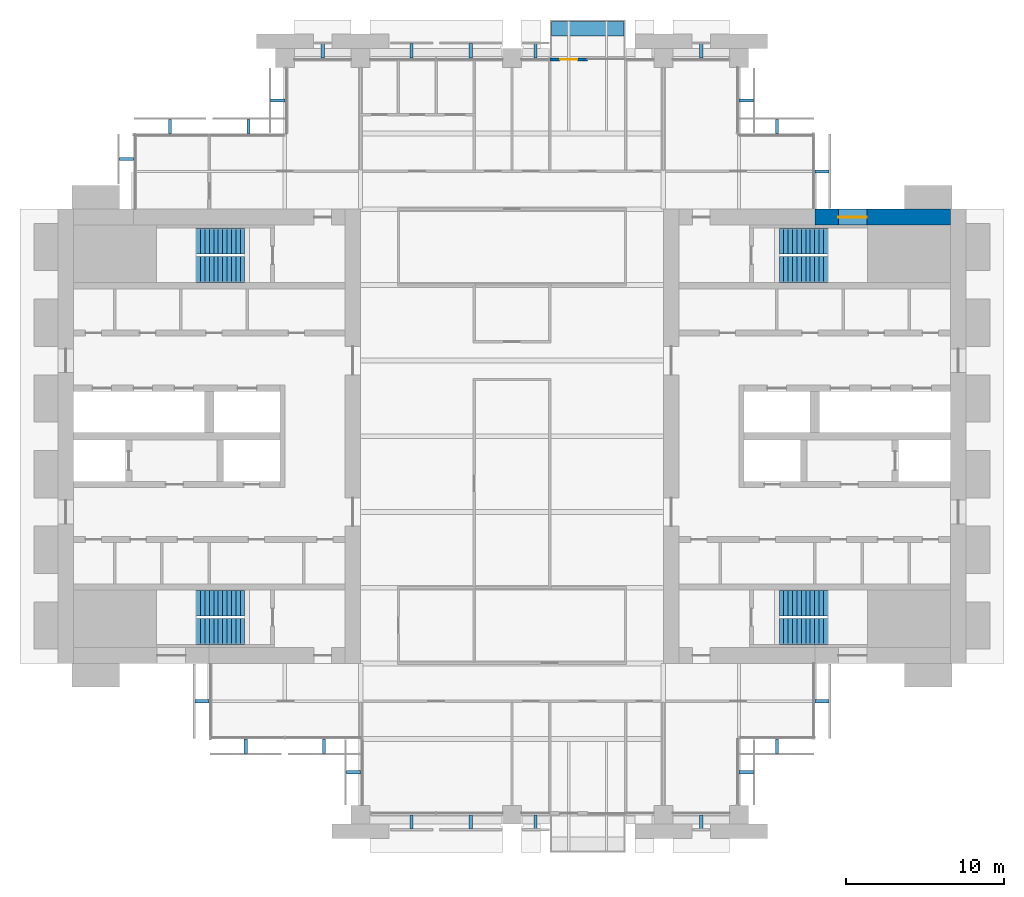
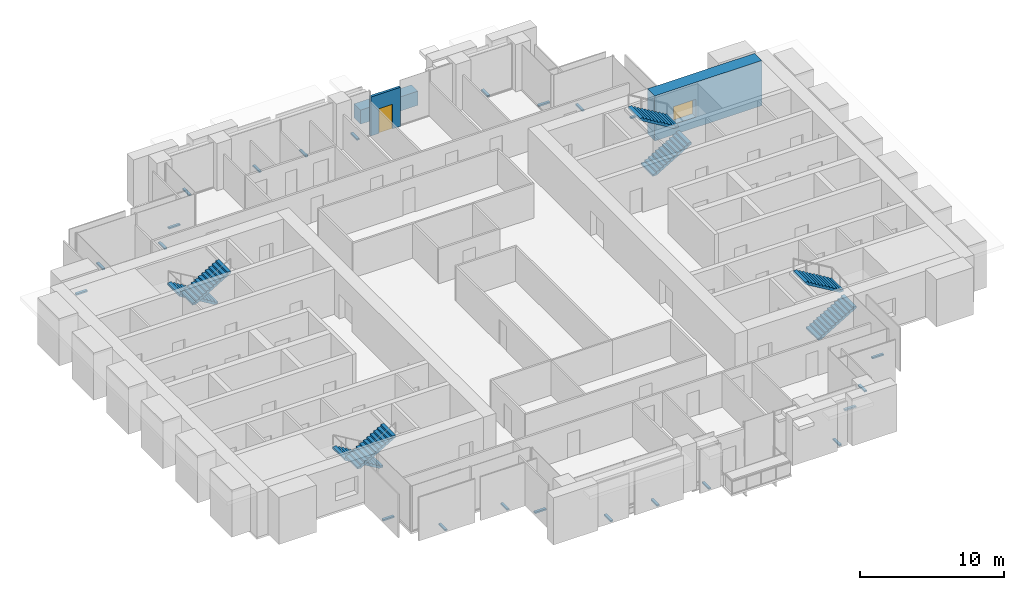
# One storey, part 13 of 15: 23 discrete accessories, 8 stair flights, 3 walls, 1 door, 1 window, 2 openings, 4 elements without a shape of their own.
"""IFC4 building model written with IfcOpenShell, lengths in metres."""

from ifc_helpers import new_model, si_unit, direction, frame, frame_2d, origin, origin_2d, place, context, subcontext, project, spatial, polyline, rectangle, outline, extrude, material, layer, layer_set, type_object, element, fill, aggregate, save


model = new_model("IFC4")

# Units and contexts
model_context = context("Model", 3, precision=1e-05, world=origin(), true_north=direction((0.0, 1.0)))
body_context = subcontext(model_context, "Body", "Model", "MODEL_VIEW")
ifc_project = project(units=[si_unit("LENGTHUNIT", "METRE"), si_unit("AREAUNIT", "SQUARE_METRE"), si_unit("VOLUMEUNIT", "CUBIC_METRE"), si_unit("PLANEANGLEUNIT", "RADIAN"), si_unit("MASSUNIT", "GRAM", prefix="KILO")], contexts=[model_context])

# Site, building, storey
site_placement = place(None, origin())
site = spatial("IfcSite", under=ifc_project, at=site_placement, CompositionType="ELEMENT")
building_placement = place(site_placement, origin())
building = spatial("IfcBuilding", under=site, at=building_placement, Name="Baori Bourse Tower", CompositionType="ELEMENT")
storey_placement = place(building_placement, frame((0.0, 0.0, 164.10009765625)))
storey = spatial("IfcBuildingStorey", under=building, at=storey_placement, Name="L36", CompositionType="ELEMENT", Elevation=164.10009765625)

# Wall, opening, window
ifc_material_1 = material(Name="Concrete f'c 60 MPa", Category="concrete")
ifc_layer_1 = layer(ifc_material_1, 1.0)
ifc_layer_set_1 = layer_set([ifc_layer_1], Name="Core wall 1000 f'c 60")
wall_type_1 = type_object("IfcWallType", Name="Core wall 1000 f'c 60", PredefinedType="SHEAR", material=ifc_layer_set_1)
wall_1_placement = place(storey_placement, frame((48.0, 37.89990234375, 0.0), z_axis=(0.0, 0.0, 1.0), x_axis=(1.0, 0.0, 0.0)))
wall_1 = element("IfcWall", 1, at=wall_1_placement, inside=storey, type_object=wall_type_1, Name="Core wall E31", PredefinedType="SHEAR", context=body_context, shape_type="SweptSolid", body=[
    extrude(rectangle(XDim=8.60009765625, YDim=1.0, at=frame_2d((4.300048828125, 0.0))), origin(), (0.0, 0.0, 1.0), 3.83984375),
])
opening_1_placement = place(wall_1_placement, frame((1.5, 0.0, 0.89990234375)))
opening_1 = element("IfcOpeningElement", 2, at=opening_1_placement, cuts=wall_1, Name="Opening L36-KW204", PredefinedType="OPENING", context=body_context, shape_type="SweptSolid", body=[
    extrude(rectangle(XDim=1.800048828125, YDim=1.5, at=frame_2d((0.89990234375, 0.75))), frame((0.0, 0.510009765625, 0.0), z_axis=(0.0, -1.0, 0.0), x_axis=(1.0, 0.0, 0.0)), (0.0, 0.0, 1.0), 1.02001953125),
])
ifc_material_2 = material(Name="Pale anodised aluminium", Category="aluminium")
window_type = type_object("IfcWindowType", Name="Stair window 1800 x 1500", PartitioningType="SINGLE_PANEL", PredefinedType="WINDOW", material=ifc_material_2)
window_placement = place(opening_1_placement, origin())
window = element("IfcWindow", 3, at=window_placement, inside=storey, type_object=window_type, Name="Stair window E L36 4", OverallHeight=1.5, OverallWidth=1.800048828125, PartitioningType="SINGLE_PANEL", PredefinedType="WINDOW", context=body_context, shape_type="SweptSolid", body=[
    extrude(rectangle(XDim=1.800048828125, YDim=1.5, at=frame_2d((0.89990234375, 0.75))), frame((0.0, 0.030029296875, 0.0), z_axis=(0.0, -1.0, 0.0), x_axis=(1.0, 0.0, 0.0)), (0.0, 0.0, 1.0), 0.06005859375),
])
fill(opening_1, window)

# Wall, opening, door
ifc_material_3 = material(Name="Pale anodised aluminium", Category="aluminium")
ifc_layer_2 = layer(ifc_material_3, 0.199951171875)
ifc_layer_set_2 = layer_set([ifc_layer_2], Name="EW1 External wall bay")
wall_type_2 = type_object("IfcWallType", Name="EW1 External wall bay", PredefinedType="SOLIDWALL", material=ifc_layer_set_2)
wall_2_placement = place(storey_placement, frame((33.60009765625, 47.89990234375, 0.0), z_axis=(0.0, 0.0, 1.0), x_axis=(-1.0, 0.0, 0.0)))
wall_2 = element("IfcWall", 4, at=wall_2_placement, inside=storey, type_object=wall_type_2, Name="External wall bay L36 1", PredefinedType="SOLIDWALL", context=body_context, shape_type="SweptSolid", body=[
    extrude(rectangle(XDim=2.400146484375, YDim=0.199951171875, at=frame_2d((1.2001953125, 0.0))), origin(), (0.0, 0.0, 1.0), 3.314208984375),
])
opening_2_placement = place(wall_2_placement, frame((0.64990234375, 0.0, 0.0)))
opening_2 = element("IfcOpeningElement", 5, at=opening_2_placement, cuts=wall_2, Name="Opening L36-D91", PredefinedType="OPENING", context=body_context, shape_type="SweptSolid", body=[
    extrude(rectangle(XDim=1.10009765625, YDim=2.10009765625, at=frame_2d((0.550048828125, 1.050048828125))), frame((0.0, 0.10986328125, 0.0), z_axis=(0.0, -1.0, 0.0), x_axis=(1.0, 0.0, 0.0)), (0.0, 0.0, 1.0), 0.219970703125),
])
ifc_material_4 = material(Name="Pale anodised aluminium", Category="aluminium")
door_type = type_object("IfcDoorType", Name="BL1 Balcony door", OperationType="SINGLE_SWING_LEFT", PredefinedType="DOOR", material=ifc_material_4)
door_placement = place(opening_2_placement, origin())
door = element("IfcDoor", 6, at=door_placement, inside=storey, type_object=door_type, Name="Balcony door L36 1", OperationType="SINGLE_SWING_LEFT", OverallHeight=2.10009765625, OverallWidth=1.10009765625, PredefinedType="DOOR", context=body_context, shape_type="SweptSolid", body=[
    extrude(rectangle(XDim=1.10009765625, YDim=2.10009765625, at=frame_2d((0.550048828125, 1.050048828125))), frame((0.0, 0.02490234375, 0.0), z_axis=(0.0, -1.0, 0.0), x_axis=(1.0, 0.0, 0.0)), (0.0, 0.0, 1.0), 0.050048828125),
])
fill(opening_2, door)

# Wall
ifc_material_5 = material(Name="Concrete f'c 40 MPa", Category="concrete")
ifc_layer_3 = layer(ifc_material_5, 0.89990234375)
ifc_layer_set_3 = layer_set([ifc_layer_3], Name="PW1 Planter wall")
wall_type_3 = type_object("IfcWallType", Name="PW1 Planter wall", PredefinedType="USERDEFINED", material=ifc_layer_set_3)
wall_3_placement = place(storey_placement, frame((31.300048828125, 49.85009765625, 0.0), z_axis=(0.0, 0.0, 1.0), x_axis=(1.0, 0.0, 0.0)))
element("IfcWall", 7, at=wall_3_placement, inside=storey, type_object=wall_type_3, Name="Planter balcony N L36 2", ObjectType="PLANTER", PredefinedType="USERDEFINED", context=body_context, shape_type="SweptSolid", body=[
    extrude(rectangle(XDim=4.599853515625, YDim=0.89990234375, at=frame_2d((2.2998046875, 0.0))), origin(), (0.0, 0.0, 1.0), 1.199951171875),
])

# Stair, stair flights
ifc_material_6 = material(Name="Concrete f'c 50 MPa", Category="concrete")
stair_type = type_object("IfcStairType", Name="Core stair", PredefinedType="HALF_TURN_STAIR", material=ifc_material_6)
stair_1_placement = place(storey_placement, origin())
stair_1 = element("IfcStair", 8, at=stair_1_placement, inside=storey, type_object=stair_type, Name="L36 Stair WA", PredefinedType="HALF_TURN_STAIR")
ifc_material_7 = material(Name="Concrete f'c 50 MPa", Category="concrete")
stair_flight_type = type_object("IfcStairFlightType", Name="Core stair flight", PredefinedType="STRAIGHT", material=ifc_material_7)
stair_flight_1_placement = place(storey_placement, frame((11.85009765625, 13.425048828125, 0.0), z_axis=(0.0, 0.0, 1.0), x_axis=(-1.0, 0.0, 0.0)))
stair_flight_1 = element("IfcStairFlight", 9, at=stair_flight_1_placement, type_object=stair_flight_type, Name="ST1 flight 1", NumberOfRisers=12, NumberOfTreads=11, PredefinedType="STRAIGHT", RiserHeight=0.166666667, TreadLength=0.28, context=body_context, shape_type="SweptSolid", body=[
    extrude(outline(polyline([(0.0, 0.0), (0.0, 0.166748046875), (0.280029296875, 0.166748046875), (0.280029296875, 0.333251953125), (0.56005859375, 0.333251953125), (0.56005859375, 0.5), (0.840087890625, 0.5), (0.840087890625, 0.666748046875), (1.1201171875, 0.666748046875), (1.1201171875, 0.833251953125), (1.39990234375, 0.833251953125), (1.39990234375, 1.0), (1.679931640625, 1.0), (1.679931640625, 1.166748046875), (1.9599609375, 1.166748046875), (1.9599609375, 1.333251953125), (2.239990234375, 1.333251953125), (2.239990234375, 1.5), (2.52001953125, 1.5), (2.52001953125, 1.666748046875), (2.800048828125, 1.666748046875), (2.800048828125, 1.833251953125), (3.080078125, 1.833251953125), (3.080078125, 2.0), (3.080078125, 1.658935546875), (0.29296875, 0.0), (0.0, 0.0)])), frame((0.0, 0.824951171875, 0.0), z_axis=(0.0, -1.0, 0.0), x_axis=(1.0, 0.0, 0.0)), (0.0, 0.0, 1.0), 1.64990234375),
])
stair_flight_2_placement = place(storey_placement, frame((8.77001953125, 11.625, 2.0), z_axis=(0.0, 0.0, 1.0), x_axis=(1.0, 0.0, 0.0)))
stair_flight_2 = element("IfcStairFlight", 10, at=stair_flight_2_placement, type_object=stair_flight_type, Name="ST1 flight 2", NumberOfRisers=12, NumberOfTreads=11, PredefinedType="STRAIGHT", RiserHeight=0.166666667, TreadLength=0.28, context=body_context, shape_type="SweptSolid", body=[
    extrude(outline(polyline([(0.0, 0.0), (0.0, 0.166748046875), (0.280029296875, 0.166748046875), (0.280029296875, 0.333251953125), (0.56005859375, 0.333251953125), (0.56005859375, 0.5), (0.840087890625, 0.5), (0.840087890625, 0.666748046875), (1.1201171875, 0.666748046875), (1.1201171875, 0.833251953125), (1.39990234375, 0.833251953125), (1.39990234375, 1.0), (1.679931640625, 1.0), (1.679931640625, 1.166748046875), (1.9599609375, 1.166748046875), (1.9599609375, 1.333251953125), (2.239990234375, 1.333251953125), (2.239990234375, 1.5), (2.52001953125, 1.5), (2.52001953125, 1.666748046875), (2.800048828125, 1.666748046875), (2.800048828125, 1.833251953125), (3.080078125, 1.833251953125), (3.080078125, 2.0), (3.080078125, 1.658935546875), (0.29296875, 0.0), (0.0, 0.0)])), frame((0.0, 0.824951171875, 0.0), z_axis=(0.0, -1.0, 0.0), x_axis=(1.0, 0.0, 0.0)), (0.0, 0.0, 1.0), 1.64990234375),
])
aggregate(stair_1, [stair_flight_1, stair_flight_2])

stair_2_placement = place(storey_placement, origin())
stair_2 = element("IfcStair", 11, at=stair_2_placement, inside=storey, type_object=stair_type, Name="L36 Stair WB", PredefinedType="HALF_TURN_STAIR")
stair_flight_3_placement = place(storey_placement, frame((11.85009765625, 36.375, 0.0), z_axis=(0.0, 0.0, 1.0), x_axis=(-1.0, 0.0, 0.0)))
stair_flight_3 = element("IfcStairFlight", 12, at=stair_flight_3_placement, type_object=stair_flight_type, Name="ST2 flight 1", NumberOfRisers=12, NumberOfTreads=11, PredefinedType="STRAIGHT", RiserHeight=0.166666667, TreadLength=0.28, context=body_context, shape_type="SweptSolid", body=[
    extrude(outline(polyline([(0.0, 0.0), (0.0, 0.166748046875), (0.280029296875, 0.166748046875), (0.280029296875, 0.333251953125), (0.56005859375, 0.333251953125), (0.56005859375, 0.5), (0.840087890625, 0.5), (0.840087890625, 0.666748046875), (1.1201171875, 0.666748046875), (1.1201171875, 0.833251953125), (1.39990234375, 0.833251953125), (1.39990234375, 1.0), (1.679931640625, 1.0), (1.679931640625, 1.166748046875), (1.9599609375, 1.166748046875), (1.9599609375, 1.333251953125), (2.239990234375, 1.333251953125), (2.239990234375, 1.5), (2.52001953125, 1.5), (2.52001953125, 1.666748046875), (2.800048828125, 1.666748046875), (2.800048828125, 1.833251953125), (3.080078125, 1.833251953125), (3.080078125, 2.0), (3.080078125, 1.658935546875), (0.29296875, 0.0), (0.0, 0.0)])), frame((0.0, 0.824951171875, 0.0), z_axis=(0.0, -1.0, 0.0), x_axis=(1.0, 0.0, 0.0)), (0.0, 0.0, 1.0), 1.64990234375),
])
stair_flight_4_placement = place(storey_placement, frame((8.77001953125, 34.574951171875, 2.0), z_axis=(0.0, 0.0, 1.0), x_axis=(1.0, 0.0, 0.0)))
stair_flight_4 = element("IfcStairFlight", 13, at=stair_flight_4_placement, type_object=stair_flight_type, Name="ST2 flight 2", NumberOfRisers=12, NumberOfTreads=11, PredefinedType="STRAIGHT", RiserHeight=0.166666667, TreadLength=0.28, context=body_context, shape_type="SweptSolid", body=[
    extrude(outline(polyline([(0.0, 0.0), (0.0, 0.166748046875), (0.280029296875, 0.166748046875), (0.280029296875, 0.333251953125), (0.56005859375, 0.333251953125), (0.56005859375, 0.5), (0.840087890625, 0.5), (0.840087890625, 0.666748046875), (1.1201171875, 0.666748046875), (1.1201171875, 0.833251953125), (1.39990234375, 0.833251953125), (1.39990234375, 1.0), (1.679931640625, 1.0), (1.679931640625, 1.166748046875), (1.9599609375, 1.166748046875), (1.9599609375, 1.333251953125), (2.239990234375, 1.333251953125), (2.239990234375, 1.5), (2.52001953125, 1.5), (2.52001953125, 1.666748046875), (2.800048828125, 1.666748046875), (2.800048828125, 1.833251953125), (3.080078125, 1.833251953125), (3.080078125, 2.0), (3.080078125, 1.658935546875), (0.29296875, 0.0), (0.0, 0.0)])), frame((0.0, 0.824951171875, 0.0), z_axis=(0.0, -1.0, 0.0), x_axis=(1.0, 0.0, 0.0)), (0.0, 0.0, 1.0), 1.64990234375),
])
aggregate(stair_2, [stair_flight_3, stair_flight_4])

stair_3_placement = place(storey_placement, origin())
stair_3 = element("IfcStair", 14, at=stair_3_placement, inside=storey, type_object=stair_type, Name="L36 Stair EA", PredefinedType="HALF_TURN_STAIR")
stair_flight_5_placement = place(storey_placement, frame((45.75, 11.625, 0.0), z_axis=(0.0, 0.0, 1.0), x_axis=(1.0, 0.0, 0.0)))
stair_flight_5 = element("IfcStairFlight", 15, at=stair_flight_5_placement, type_object=stair_flight_type, Name="ST3 flight 1", NumberOfRisers=12, NumberOfTreads=11, PredefinedType="STRAIGHT", RiserHeight=0.166666667, TreadLength=0.28, context=body_context, shape_type="SweptSolid", body=[
    extrude(outline(polyline([(0.0, 0.0), (0.0, 0.166748046875), (0.280029296875, 0.166748046875), (0.280029296875, 0.333251953125), (0.56005859375, 0.333251953125), (0.56005859375, 0.5), (0.840087890625, 0.5), (0.840087890625, 0.666748046875), (1.1201171875, 0.666748046875), (1.1201171875, 0.833251953125), (1.39990234375, 0.833251953125), (1.39990234375, 1.0), (1.679931640625, 1.0), (1.679931640625, 1.166748046875), (1.9599609375, 1.166748046875), (1.9599609375, 1.333251953125), (2.239990234375, 1.333251953125), (2.239990234375, 1.5), (2.52001953125, 1.5), (2.52001953125, 1.666748046875), (2.800048828125, 1.666748046875), (2.800048828125, 1.833251953125), (3.080078125, 1.833251953125), (3.080078125, 2.0), (3.080078125, 1.658935546875), (0.29296875, 0.0), (0.0, 0.0)])), frame((0.0, 0.824951171875, 0.0), z_axis=(0.0, -1.0, 0.0), x_axis=(1.0, 0.0, 0.0)), (0.0, 0.0, 1.0), 1.64990234375),
])
stair_flight_6_placement = place(storey_placement, frame((48.830078125, 13.425048828125, 2.0), z_axis=(0.0, 0.0, 1.0), x_axis=(-1.0, 0.0, 0.0)))
stair_flight_6 = element("IfcStairFlight", 16, at=stair_flight_6_placement, type_object=stair_flight_type, Name="ST3 flight 2", NumberOfRisers=12, NumberOfTreads=11, PredefinedType="STRAIGHT", RiserHeight=0.166666667, TreadLength=0.28, context=body_context, shape_type="SweptSolid", body=[
    extrude(outline(polyline([(0.0, 0.0), (0.0, 0.166748046875), (0.280029296875, 0.166748046875), (0.280029296875, 0.333251953125), (0.56005859375, 0.333251953125), (0.56005859375, 0.5), (0.840087890625, 0.5), (0.840087890625, 0.666748046875), (1.1201171875, 0.666748046875), (1.1201171875, 0.833251953125), (1.39990234375, 0.833251953125), (1.39990234375, 1.0), (1.679931640625, 1.0), (1.679931640625, 1.166748046875), (1.9599609375, 1.166748046875), (1.9599609375, 1.333251953125), (2.239990234375, 1.333251953125), (2.239990234375, 1.5), (2.52001953125, 1.5), (2.52001953125, 1.666748046875), (2.800048828125, 1.666748046875), (2.800048828125, 1.833251953125), (3.080078125, 1.833251953125), (3.080078125, 2.0), (3.080078125, 1.658935546875), (0.29296875, 0.0), (0.0, 0.0)])), frame((0.0, 0.824951171875, 0.0), z_axis=(0.0, -1.0, 0.0), x_axis=(1.0, 0.0, 0.0)), (0.0, 0.0, 1.0), 1.64990234375),
])
aggregate(stair_3, [stair_flight_5, stair_flight_6])

stair_4_placement = place(storey_placement, origin())
stair_4 = element("IfcStair", 17, at=stair_4_placement, inside=storey, type_object=stair_type, Name="L36 Stair EB", PredefinedType="HALF_TURN_STAIR")
stair_flight_7_placement = place(storey_placement, frame((45.75, 34.574951171875, 0.0), z_axis=(0.0, 0.0, 1.0), x_axis=(1.0, 0.0, 0.0)))
stair_flight_7 = element("IfcStairFlight", 18, at=stair_flight_7_placement, type_object=stair_flight_type, Name="ST4 flight 1", NumberOfRisers=12, NumberOfTreads=11, PredefinedType="STRAIGHT", RiserHeight=0.166666667, TreadLength=0.28, context=body_context, shape_type="SweptSolid", body=[
    extrude(outline(polyline([(0.0, 0.0), (0.0, 0.166748046875), (0.280029296875, 0.166748046875), (0.280029296875, 0.333251953125), (0.56005859375, 0.333251953125), (0.56005859375, 0.5), (0.840087890625, 0.5), (0.840087890625, 0.666748046875), (1.1201171875, 0.666748046875), (1.1201171875, 0.833251953125), (1.39990234375, 0.833251953125), (1.39990234375, 1.0), (1.679931640625, 1.0), (1.679931640625, 1.166748046875), (1.9599609375, 1.166748046875), (1.9599609375, 1.333251953125), (2.239990234375, 1.333251953125), (2.239990234375, 1.5), (2.52001953125, 1.5), (2.52001953125, 1.666748046875), (2.800048828125, 1.666748046875), (2.800048828125, 1.833251953125), (3.080078125, 1.833251953125), (3.080078125, 2.0), (3.080078125, 1.658935546875), (0.29296875, 0.0), (0.0, 0.0)])), frame((0.0, 0.824951171875, 0.0), z_axis=(0.0, -1.0, 0.0), x_axis=(1.0, 0.0, 0.0)), (0.0, 0.0, 1.0), 1.64990234375),
])
stair_flight_8_placement = place(storey_placement, frame((48.830078125, 36.375, 2.0), z_axis=(0.0, 0.0, 1.0), x_axis=(-1.0, 0.0, 0.0)))
stair_flight_8 = element("IfcStairFlight", 19, at=stair_flight_8_placement, type_object=stair_flight_type, Name="ST4 flight 2", NumberOfRisers=12, NumberOfTreads=11, PredefinedType="STRAIGHT", RiserHeight=0.166666667, TreadLength=0.28, context=body_context, shape_type="SweptSolid", body=[
    extrude(outline(polyline([(0.0, 0.0), (0.0, 0.166748046875), (0.280029296875, 0.166748046875), (0.280029296875, 0.333251953125), (0.56005859375, 0.333251953125), (0.56005859375, 0.5), (0.840087890625, 0.5), (0.840087890625, 0.666748046875), (1.1201171875, 0.666748046875), (1.1201171875, 0.833251953125), (1.39990234375, 0.833251953125), (1.39990234375, 1.0), (1.679931640625, 1.0), (1.679931640625, 1.166748046875), (1.9599609375, 1.166748046875), (1.9599609375, 1.333251953125), (2.239990234375, 1.333251953125), (2.239990234375, 1.5), (2.52001953125, 1.5), (2.52001953125, 1.666748046875), (2.800048828125, 1.666748046875), (2.800048828125, 1.833251953125), (3.080078125, 1.833251953125), (3.080078125, 2.0), (3.080078125, 1.658935546875), (0.29296875, 0.0), (0.0, 0.0)])), frame((0.0, 0.824951171875, 0.0), z_axis=(0.0, -1.0, 0.0), x_axis=(1.0, 0.0, 0.0)), (0.0, 0.0, 1.0), 1.64990234375),
])
aggregate(stair_4, [stair_flight_7, stair_flight_8])

# Discrete accessories
ifc_material_8 = material(Name="Pale anodised aluminium", Category="aluminium")
discrete_accessory_type = type_object("IfcDiscreteAccessoryType", Name="OS2 Outer skin bracket", PredefinedType="BRACKET", material=ifc_material_8)
for number, where, z_axis, x_axis, name in (
    (20, (48.449951171875, 40.800048828125, -0.14404296875), (0.0, 0.0, 1.0), (0.0, 1.0, 0.0), "Outer skin bracket L36 1"),
    (21, (45.60009765625, 43.64990234375, -0.14404296875), (0.0, 0.0, 1.0), (-1.0, 0.0, 0.0), "Outer skin bracket L36 2"),
    (22, (43.64990234375, 45.300048828125, -0.14404296875), (0.0, 0.0, 1.0), (0.0, 1.0, 0.0), "Outer skin bracket L36 3"),
    (23, (40.800048828125, 48.449951171875, -0.14404296875), (0.0, 0.0, 1.0), (-1.0, 0.0, 0.0), "Outer skin bracket L36 4"),
    (24, (30.300048828125, 48.449951171875, -0.14404296875), (0.0, 0.0, 1.0), (-1.0, 0.0, 0.0), "Outer skin bracket L36 5"),
    (25, (26.1875, 48.449951171875, -0.14404296875), (0.0, 0.0, 1.0), (-1.0, 0.0, 0.0), "Outer skin bracket L36 6"),
    (26, (22.4375, 48.449951171875, -0.14404296875), (0.0, 0.0, 1.0), (-1.0, 0.0, 0.0), "Outer skin bracket L36 7"),
    (27, (16.800048828125, 48.449951171875, -0.14404296875), (0.0, 0.0, 1.0), (-1.0, 0.0, 0.0), "Outer skin bracket L36 8"),
    (28, (13.949951171875, 45.300048828125, -0.14404296875), (0.0, 0.0, 1.0), (0.0, -1.0, 0.0), "Outer skin bracket L36 9"),
    (29, (12.08740234375, 43.64990234375, -0.14404296875), (0.0, 0.0, 1.0), (-1.0, 0.0, 0.0), "Outer skin bracket L36 10"),
    (30, (7.112548828125, 43.64990234375, -0.14404296875), (0.0, 0.0, 1.0), (-1.0, 0.0, 0.0), "Outer skin bracket L36 11"),
    (31, (4.35009765625, 41.574951171875, -0.14404296875), (0.0, 0.0, 1.0), (0.0, -1.0, 0.0), "Outer skin bracket L36 12"),
    (32, (9.14990234375, 7.199951171875, -0.14404296875), (0.0, 0.0, 1.0), (0.0, -1.0, 0.0), "Outer skin bracket L36 13"),
    (33, (11.91259765625, 4.35009765625, -0.14404296875), (0.0, 0.0, 1.0), (1.0, 0.0, 0.0), "Outer skin bracket L36 14"),
    (34, (16.887451171875, 4.35009765625, -0.14404296875), (0.0, 0.0, 1.0), (1.0, 0.0, 0.0), "Outer skin bracket L36 15"),
    (35, (18.75, 2.699951171875, -0.14404296875), (0.0, 0.0, 1.0), (0.0, -1.0, 0.0), "Outer skin bracket L36 16"),
    (36, (22.4375, -0.449951171875, -0.14404296875), (0.0, 0.0, 1.0), (1.0, 0.0, 0.0), "Outer skin bracket L36 17"),
    (37, (26.1875, -0.449951171875, -0.14404296875), (0.0, 0.0, 1.0), (1.0, 0.0, 0.0), "Outer skin bracket L36 18"),
    (38, (30.300048828125, -0.449951171875, -0.14404296875), (0.0, 0.0, 1.0), (1.0, 0.0, 0.0), "Outer skin bracket L36 19"),
    (39, (40.800048828125, -0.449951171875, -0.14404296875), (0.0, 0.0, 1.0), (1.0, 0.0, 0.0), "Outer skin bracket L36 20"),
    (40, (43.64990234375, 2.699951171875, -0.14404296875), (0.0, 0.0, 1.0), (0.0, 1.0, 0.0), "Outer skin bracket L36 21"),
    (41, (45.60009765625, 4.35009765625, -0.14404296875), (0.0, 0.0, 1.0), (1.0, 0.0, 0.0), "Outer skin bracket L36 22"),
    (42, (48.449951171875, 7.199951171875, -0.14404296875), (0.0, 0.0, 1.0), (0.0, 1.0, 0.0), "Outer skin bracket L36 23"),
):
    element("IfcDiscreteAccessory", number, at=place(storey_placement, frame(where, z_axis=z_axis, x_axis=x_axis)), inside=storey, type_object=discrete_accessory_type, Name=name, PredefinedType="BRACKET", context=body_context, shape_type="SweptSolid", body=[
        extrude(rectangle(XDim=0.199951171875, YDim=0.89990234375, at=origin_2d()), origin(), (0.0, 0.0, 1.0), 0.1279296875),
    ])

save(model, "model.ifc")
